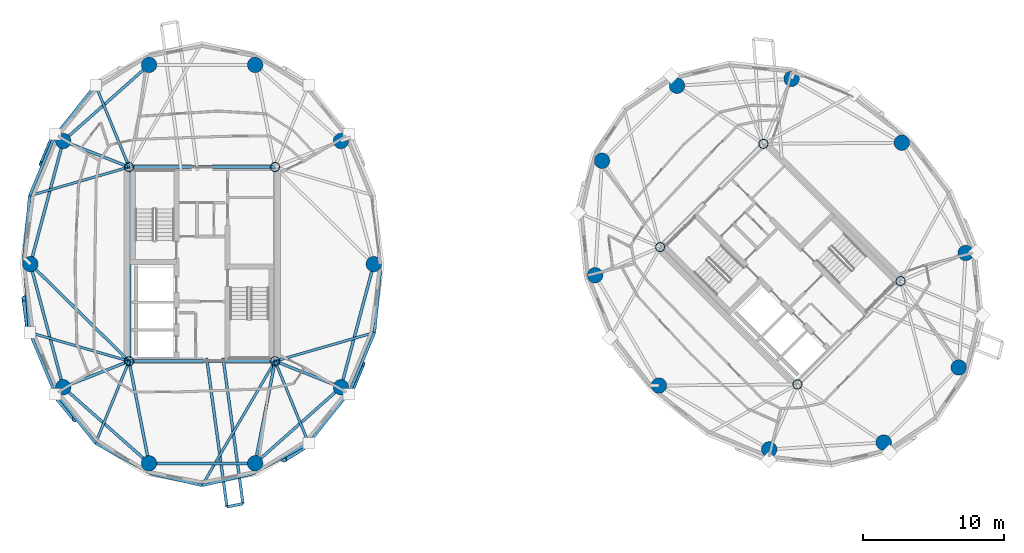
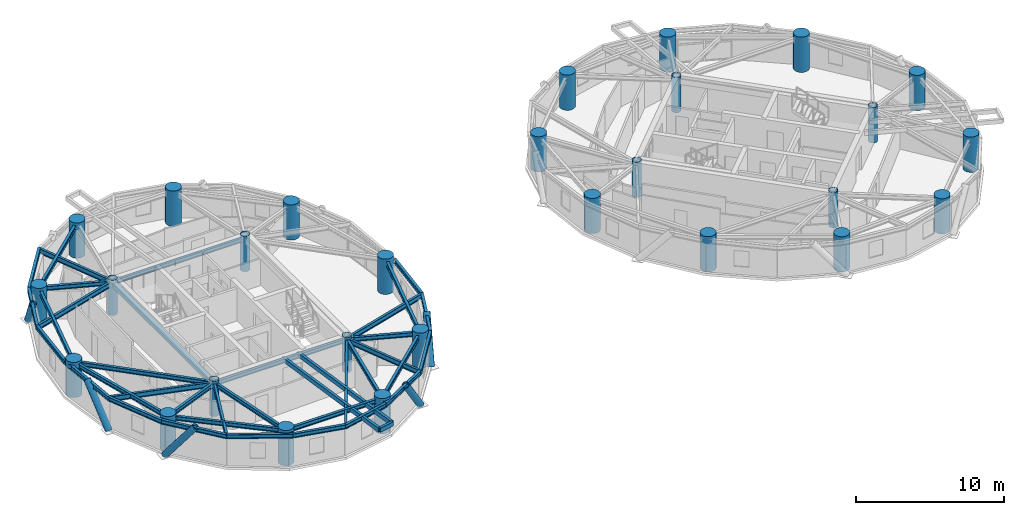
# One storey, part 1 of 16: 39 beams, 28 columns, 5 members.
"""IFC4 building model written with IfcOpenShell, lengths in metres."""

from ifc_helpers import new_model, si_unit, direction, frame, origin, origin_2d, place, context, subcontext, project, spatial, hollow_rectangle, circle, hollow_circle, i_section, extrude, material, material_profile, profile_set, type_object, element, save


model = new_model("IFC4")

# Units and contexts
model_context = context("Model", 3, precision=1e-05, world=origin(), true_north=direction((0.0, 1.0)))
body_context = subcontext(model_context, "Body", "Model", "MODEL_VIEW")
ifc_project = project(units=[si_unit("LENGTHUNIT", "METRE"), si_unit("AREAUNIT", "SQUARE_METRE"), si_unit("VOLUMEUNIT", "CUBIC_METRE"), si_unit("PLANEANGLEUNIT", "RADIAN"), si_unit("MASSUNIT", "GRAM", prefix="KILO")], contexts=[model_context])

# Site, building, storey
site_placement = place(None, origin())
site = spatial("IfcSite", under=ifc_project, at=site_placement, CompositionType="ELEMENT")
building_placement = place(site_placement, origin())
building = spatial("IfcBuilding", under=site, at=building_placement, Name="Cununo Teusaquillo Station Towers", CompositionType="ELEMENT")
storey_placement = place(building_placement, frame((0.0, 0.0, 219.93994140625)))
storey = spatial("IfcBuildingStorey", under=building, at=storey_placement, Name="L70", CompositionType="ELEMENT", Elevation=219.93994140625)

# Columns
ifc_material_1 = material(Name="Steel EN 10025-2 S355J2", Category="steel")
ifc_material_profile_1 = material_profile(ifc_material_1, hollow_circle(Radius=0.330078125, WallThickness=0.02490234375, at=origin_2d()), Name="CHS 660x25")
ifc_profile_set_1 = profile_set([ifc_material_profile_1], Name="Steel EN 10025-2 S355J2")
column_type_1 = type_object("IfcColumnType", Name="COL-CORE-Z3", PredefinedType="COLUMN", material=ifc_profile_set_1)
for number, where, z_axis, x_axis, name in (
    (1, (11.324951171875, 17.6201171875, 0.0), (0.0, 0.0, 1.0), (1.0, 0.0, 0.0), "L70 Tower A Core Column 1"),
    (2, (11.324951171875, 31.3798828125, 0.0), (0.0, 0.0, 1.0), (1.0, 0.0, 0.0), "L70 Tower A Core Column 2"),
    (3, (21.675048828125, 17.6201171875, 0.0), (0.0, 0.0, 1.0), (1.0, 0.0, 0.0), "L70 Tower A Core Column 3"),
    (4, (21.675048828125, 31.3798828125, 0.0), (0.0, 0.0, 1.0), (1.0, 0.0, 0.0), "L70 Tower A Core Column 4"),
    (5, (58.70556640625, 15.975830078125, 0.0), (0.0, 0.0, 1.0), (0.707106781187, 0.707106781187, 0.0), "L70 Tower B Core Column 1"),
    (6, (48.975830078125, 25.70556640625, 0.0), (0.0, 0.0, 1.0), (0.707106781187, 0.707106781187, 0.0), "L70 Tower B Core Column 2"),
    (7, (66.024169921875, 23.29443359375, 0.0), (0.0, 0.0, 1.0), (0.707106781187, 0.707106781187, 0.0), "L70 Tower B Core Column 3"),
    (8, (56.29443359375, 33.024169921875, 0.0), (0.0, 0.0, 1.0), (0.707106781187, 0.707106781187, 0.0), "L70 Tower B Core Column 4"),
):
    element("IfcColumn", number, at=place(storey_placement, frame(where, z_axis=z_axis, x_axis=x_axis)), inside=storey, type_object=column_type_1, Name=name, PredefinedType="COLUMN", context=body_context, shape_type="SweptSolid", body=[
        extrude(hollow_circle(Radius=0.330078125, WallThickness=0.02490234375, at=origin_2d()), origin(), (0.0, 0.0, 1.0), 2.91015625),
    ])
ifc_material_2 = material(Name="Concrete C50/60", Category="concrete")
ifc_material_profile_2 = material_profile(ifc_material_2, circle(Radius=0.550048828125, at=origin_2d()), Name="RC-CIRC-1100")
ifc_profile_set_2 = profile_set([ifc_material_profile_2], Name="Concrete C50/60")
column_type_2 = type_object("IfcColumnType", Name="COL-MEGA-Z4", PredefinedType="USERDEFINED", material=ifc_profile_set_2)
for number, where, z_axis, x_axis, name in (
    (9, (28.672119140625, 24.5, 0.0), (0.0, 0.0, 1.0), (1.0, 0.0, 0.0), "L70 Tower A Perimeter Column V00"),
    (10, (26.347412109375, 33.228515625, 0.0), (0.0, 0.0, 1.0), (1.0, 0.0, 0.0), "L70 Tower A Perimeter Column V02"),
    (11, (20.261474609375, 38.623291015625, 0.0), (0.0, 0.0, 1.0), (1.0, 0.0, 0.0), "L70 Tower A Perimeter Column V04"),
    (12, (12.738525390625, 38.623291015625, 0.0), (0.0, 0.0, 1.0), (1.0, 0.0, 0.0), "L70 Tower A Perimeter Column V06"),
    (13, (6.652587890625, 33.228515625, 0.0), (0.0, 0.0, 1.0), (1.0, 0.0, 0.0), "L70 Tower A Perimeter Column V08"),
    (14, (4.327880859375, 24.5, 0.0), (0.0, 0.0, 1.0), (1.0, 0.0, 0.0), "L70 Tower A Perimeter Column V10"),
    (15, (6.652587890625, 15.771484375, 0.0), (0.0, 0.0, 1.0), (1.0, 0.0, 0.0), "L70 Tower A Perimeter Column V12"),
    (16, (12.738525390625, 10.376708984375, 0.0), (0.0, 0.0, 1.0), (1.0, 0.0, 0.0), "L70 Tower A Perimeter Column V14"),
    (17, (20.261474609375, 10.376708984375, 0.0), (0.0, 0.0, 1.0), (1.0, 0.0, 0.0), "L70 Tower A Perimeter Column V16"),
    (18, (26.347412109375, 15.771484375, 0.0), (0.0, 0.0, 1.0), (1.0, 0.0, 0.0), "L70 Tower A Perimeter Column V18"),
    (19, (66.10693359375, 33.10693359375, 0.0), (0.0, 0.0, 1.0), (1.0, 0.0, 0.0), "L70 Tower B Perimeter Column V00"),
    (20, (58.291015625, 37.63525390625, 0.0), (0.0, 0.0, 1.0), (1.0, 0.0, 0.0), "L70 Tower B Perimeter Column V02"),
    (21, (50.173095703125, 37.146240234375, 0.0), (0.0, 0.0, 1.0), (1.0, 0.0, 0.0), "L70 Tower B Perimeter Column V04"),
    (22, (44.853759765625, 31.826904296875, 0.0), (0.0, 0.0, 1.0), (1.0, 0.0, 0.0), "L70 Tower B Perimeter Column V06"),
    (23, (44.36474609375, 23.708984375, 0.0), (0.0, 0.0, 1.0), (1.0, 0.0, 0.0), "L70 Tower B Perimeter Column V08"),
    (24, (48.89306640625, 15.89306640625, 0.0), (0.0, 0.0, 1.0), (1.0, 0.0, 0.0), "L70 Tower B Perimeter Column V10"),
    (25, (56.708984375, 11.36474609375, 0.0), (0.0, 0.0, 1.0), (1.0, 0.0, 0.0), "L70 Tower B Perimeter Column V12"),
    (26, (64.826904296875, 11.853759765625, 0.0), (0.0, 0.0, 1.0), (1.0, 0.0, 0.0), "L70 Tower B Perimeter Column V14"),
    (27, (70.146240234375, 17.173095703125, 0.0), (0.0, 0.0, 1.0), (1.0, 0.0, 0.0), "L70 Tower B Perimeter Column V16"),
    (28, (70.63525390625, 25.291015625, 0.0), (0.0, 0.0, 1.0), (1.0, 0.0, 0.0), "L70 Tower B Perimeter Column V18"),
):
    element("IfcColumn", number, at=place(storey_placement, frame(where, z_axis=z_axis, x_axis=x_axis)), inside=storey, type_object=column_type_2, Name=name, ObjectType="MEGA COLUMN", PredefinedType="USERDEFINED", context=body_context, shape_type="SweptSolid", body=[
        extrude(circle(Radius=0.550048828125, at=origin_2d()), origin(), (0.0, 0.0, 1.0), 2.91015625),
    ])

# Beams
ifc_material_3 = material(Name="Steel EN 10025-2 S355J2", Category="steel")
ifc_material_profile_3 = material_profile(ifc_material_3, hollow_rectangle(XDim=0.199951171875, YDim=0.35009765625, WallThickness=0.013916015625, at=origin_2d()), Name="RHS 350x200x14")
ifc_profile_set_3 = profile_set([ifc_material_profile_3], Name="Steel EN 10025-2 S355J2")
beam_type_1 = type_object("IfcBeamType", Name="BM-BAL-CANT", PredefinedType="BEAM", material=ifc_profile_set_3)
beam_1_placement = place(storey_placement, frame((16.822998046875, 17.85009765625, 2.525146484375), z_axis=(0.135006880627, -0.990844660975, 0.0), x_axis=(0.990844660975, 0.135006880627, 0.0)))
element("IfcBeam", 29, at=beam_1_placement, inside=storey, type_object=beam_type_1, Name="L70 Tower A Balcony Cantilever Bracket 2A", PredefinedType="BEAM", context=body_context, shape_type="SweptSolid", body=[
    extrude(hollow_rectangle(XDim=0.199951171875, YDim=0.35009765625, WallThickness=0.013916015625, at=origin_2d()), origin(), (0.0, 0.0, 1.0), 10.65673828125),
])
beam_2_placement = place(storey_placement, frame((17.9892578125, 17.85009765625, 2.525146484375), z_axis=(0.135018196505, -0.990843119072, 0.0), x_axis=(0.990843119072, 0.135018196505, 0.0)))
element("IfcBeam", 30, at=beam_2_placement, inside=storey, type_object=beam_type_1, Name="L70 Tower A Balcony Cantilever Bracket 2B", PredefinedType="BEAM", context=body_context, shape_type="SweptSolid", body=[
    extrude(hollow_rectangle(XDim=0.199951171875, YDim=0.35009765625, WallThickness=0.013916015625, at=origin_2d()), origin(), (0.0, 0.0, 1.0), 10.43505859375),
])
ifc_material_4 = material(Name="Steel EN 10025-2 S355J2", Category="steel")
ifc_material_profile_4 = material_profile(ifc_material_4, hollow_rectangle(XDim=0.25, YDim=0.449951171875, WallThickness=0.01611328125, at=origin_2d()), Name="RHS 450x250x16")
ifc_profile_set_4 = profile_set([ifc_material_profile_4], Name="Steel EN 10025-2 S355J2")
beam_type_2 = type_object("IfcBeamType", Name="BM-COUP-1", PredefinedType="USERDEFINED", material=ifc_profile_set_4)
beam_3_placement = place(storey_placement, frame((11.324951171875, 17.6201171875, 2.47509765625), z_axis=(0.0, 1.0, 0.0), x_axis=(-1.0, 0.0, 0.0)))
element("IfcBeam", 31, at=beam_3_placement, inside=storey, type_object=beam_type_2, Name="L70 Tower A Core Beam 1", ObjectType="COUPLING BEAM", PredefinedType="USERDEFINED", context=body_context, shape_type="SweptSolid", body=[
    extrude(hollow_rectangle(XDim=0.25, YDim=0.449951171875, WallThickness=0.01611328125, at=origin_2d()), origin(), (0.0, 0.0, 1.0), 13.759765625),
])
ifc_material_5 = material(Name="Steel ASTM A572 Grade 50", Category="steel")
ifc_material_profile_5 = material_profile(ifc_material_5, i_section(OverallWidth=0.180908203125, OverallDepth=0.4169921875, WebThickness=0.010986328125, FlangeThickness=0.018310546875, FilletRadius=0.012939453125, at=origin_2d()), Name="W16X57")
ifc_profile_set_5 = profile_set([ifc_material_profile_5], Name="Steel ASTM A572 Grade 50")
beam_type_3 = type_object("IfcBeamType", Name="BM-JOIST-1", PredefinedType="JOIST", material=ifc_profile_set_5)
beam_4_placement = place(storey_placement, frame((11.324951171875, 31.3798828125, 2.491455078125), z_axis=(-0.378576847217, 0.925569862707, 0.0), x_axis=(-0.925569862707, -0.378576847217, 0.0)))
element("IfcBeam", 32, at=beam_4_placement, inside=storey, type_object=beam_type_3, Name="L70 Tower A Radial Spandrel Joist V07", PredefinedType="JOIST", context=body_context, shape_type="SweptSolid", body=[
    extrude(i_section(OverallWidth=0.180908203125, OverallDepth=0.4169921875, WebThickness=0.010986328125, FlangeThickness=0.018310546875, FilletRadius=0.012939453125, at=origin_2d()), origin(), (0.0, 0.0, 1.0), 6.28125),
])
for number, where, z_axis, x_axis, name in (
    (33, (11.324951171875, 31.3798828125, 2.491455078125), (-0.960861603375, -0.277028841748, 0.0), (0.277028841748, -0.960861603375, 0.0), "L70 Tower A Radial Spandrel Joist V09"),
    (34, (11.324951171875, 17.6201171875, 2.491455078125), (-0.960861603375, 0.277028841748, 0.0), (-0.277028841748, -0.960861603375, 0.0), "L70 Tower A Radial Spandrel Joist V11"),
):
    element("IfcBeam", number, at=place(storey_placement, frame(where, z_axis=z_axis, x_axis=x_axis)), inside=storey, type_object=beam_type_3, Name=name, PredefinedType="JOIST", context=body_context, shape_type="SweptSolid", body=[
        extrude(i_section(OverallWidth=0.180908203125, OverallDepth=0.4169921875, WebThickness=0.010986328125, FlangeThickness=0.018310546875, FilletRadius=0.012939453125, at=origin_2d()), origin(), (0.0, 0.0, 1.0), 7.333251953125),
    ])
beam_5_placement = place(storey_placement, frame((11.324951171875, 17.6201171875, 2.491455078125), z_axis=(-0.378576847217, -0.925569862707, 0.0), x_axis=(0.925569862707, -0.378576847217, 0.0)))
element("IfcBeam", 35, at=beam_5_placement, inside=storey, type_object=beam_type_3, Name="L70 Tower A Radial Spandrel Joist V13", PredefinedType="JOIST", context=body_context, shape_type="SweptSolid", body=[
    extrude(i_section(OverallWidth=0.180908203125, OverallDepth=0.4169921875, WebThickness=0.010986328125, FlangeThickness=0.018310546875, FilletRadius=0.012939453125, at=origin_2d()), origin(), (0.0, 0.0, 1.0), 6.28125),
])
beam_6_placement = place(storey_placement, frame((21.675048828125, 17.6201171875, 2.491455078125), z_axis=(-0.506486432091, -0.862247930765, 0.0), x_axis=(0.862247930765, -0.506486432091, 0.0)))
element("IfcBeam", 36, at=beam_6_placement, inside=storey, type_object=beam_type_3, Name="L70 Tower A Radial Spandrel Joist V15", PredefinedType="JOIST", context=body_context, shape_type="SweptSolid", body=[
    extrude(i_section(OverallWidth=0.180908203125, OverallDepth=0.4169921875, WebThickness=0.010986328125, FlangeThickness=0.018310546875, FilletRadius=0.012939453125, at=origin_2d()), origin(), (0.0, 0.0, 1.0), 10.217529296875),
])
beam_7_placement = place(storey_placement, frame((21.675048828125, 17.6201171875, 2.491455078125), z_axis=(0.378576847217, -0.925569862707, 0.0), x_axis=(0.925569862707, 0.378576847217, 0.0)))
element("IfcBeam", 37, at=beam_7_placement, inside=storey, type_object=beam_type_3, Name="L70 Tower A Radial Spandrel Joist V17", PredefinedType="JOIST", context=body_context, shape_type="SweptSolid", body=[
    extrude(i_section(OverallWidth=0.180908203125, OverallDepth=0.4169921875, WebThickness=0.010986328125, FlangeThickness=0.018310546875, FilletRadius=0.012939453125, at=origin_2d()), origin(), (0.0, 0.0, 1.0), 6.28125),
])
beam_8_placement = place(storey_placement, frame((21.675048828125, 17.6201171875, 2.491455078125), z_axis=(0.960861603375, 0.277028841748, 0.0), x_axis=(-0.277028841748, 0.960861603375, 0.0)))
element("IfcBeam", 38, at=beam_8_placement, inside=storey, type_object=beam_type_3, Name="L70 Tower A Radial Spandrel Joist V19", PredefinedType="JOIST", context=body_context, shape_type="SweptSolid", body=[
    extrude(i_section(OverallWidth=0.180908203125, OverallDepth=0.4169921875, WebThickness=0.010986328125, FlangeThickness=0.018310546875, FilletRadius=0.012939453125, at=origin_2d()), origin(), (0.0, 0.0, 1.0), 7.333251953125),
])
ifc_material_6 = material(Name="Steel ASTM A572 Grade 50", Category="steel")
ifc_material_profile_6 = material_profile(ifc_material_6, i_section(OverallWidth=0.2041015625, OverallDepth=0.35009765625, WebThickness=0.008544921875, FlangeThickness=0.01513671875, FilletRadius=0.011962890625, at=origin_2d()), Name="W14X48")
ifc_profile_set_6 = profile_set([ifc_material_profile_6], Name="Steel ASTM A572 Grade 50")
beam_type_4 = type_object("IfcBeamType", Name="BM-LINTEL-1", PredefinedType="LINTEL", material=ifc_profile_set_6)
for number, where, z_axis, x_axis, name in (
    (39, (11.324951171875, 17.6201171875, 2.525146484375), (1.0, 0.0, 0.0), (0.0, 1.0, 0.0), "L70 Tower A Core Beam 3"),
    (40, (11.324951171875, 31.3798828125, 2.525146484375), (1.0, 0.0, 0.0), (0.0, 1.0, 0.0), "L70 Tower A Core Beam 4"),
):
    element("IfcBeam", number, at=place(storey_placement, frame(where, z_axis=z_axis, x_axis=x_axis)), inside=storey, type_object=beam_type_4, Name=name, PredefinedType="LINTEL", context=body_context, shape_type="SweptSolid", body=[
        extrude(i_section(OverallWidth=0.2041015625, OverallDepth=0.35009765625, WebThickness=0.008544921875, FlangeThickness=0.01513671875, FilletRadius=0.011962890625, at=origin_2d()), origin(), (0.0, 0.0, 1.0), 10.35009765625),
    ])
ifc_material_7 = material(Name="Steel ASTM A572 Grade 50", Category="steel")
ifc_material_profile_7 = material_profile(ifc_material_7, i_section(OverallWidth=0.2041015625, OverallDepth=0.35009765625, WebThickness=0.008544921875, FlangeThickness=0.01513671875, FilletRadius=0.011962890625, at=origin_2d()), Name="W14X48")
ifc_profile_set_7 = profile_set([ifc_material_profile_7], Name="Steel ASTM A572 Grade 50")
beam_type_5 = type_object("IfcBeamType", Name="BM-RAD-G3", PredefinedType="BEAM", material=ifc_profile_set_7)
beam_9_placement = place(storey_placement, frame((11.324951171875, 31.3798828125, 2.525146484375), z_axis=(-0.929851670487, 0.36793460138, 0.0), x_axis=(-0.36793460138, -0.929851670487, 0.0)))
element("IfcBeam", 41, at=beam_9_placement, inside=storey, type_object=beam_type_5, Name="L70 Tower A Continuous Overhanging Radial Girder 05", PredefinedType="BEAM", context=body_context, shape_type="SweptSolid", body=[
    extrude(i_section(OverallWidth=0.2041015625, OverallDepth=0.35009765625, WebThickness=0.008544921875, FlangeThickness=0.01513671875, FilletRadius=0.011962890625, at=origin_2d()), origin(), (0.0, 0.0, 1.0), 5.71630859375),
])
beam_10_placement = place(storey_placement, frame((11.324951171875, 17.6201171875, 2.525146484375), z_axis=(-0.713052701438, 0.701110437073, 0.0), x_axis=(-0.701110437073, -0.713052701438, 0.0)))
element("IfcBeam", 42, at=beam_10_placement, inside=storey, type_object=beam_type_5, Name="L70 Tower A Radial Girder 06A", PredefinedType="BEAM", context=body_context, shape_type="SweptSolid", body=[
    extrude(i_section(OverallWidth=0.2041015625, OverallDepth=0.35009765625, WebThickness=0.008544921875, FlangeThickness=0.01513671875, FilletRadius=0.011962890625, at=origin_2d()), origin(), (0.0, 0.0, 1.0), 9.812744140625),
])
beam_11_placement = place(storey_placement, frame((11.324951171875, 17.6201171875, 2.525146484375), z_axis=(-0.929851670487, -0.36793460138, 0.0), x_axis=(0.36793460138, -0.929851670487, 0.0)))
element("IfcBeam", 43, at=beam_11_placement, inside=storey, type_object=beam_type_5, Name="L70 Tower A Continuous Overhanging Radial Girder 07", PredefinedType="BEAM", context=body_context, shape_type="SweptSolid", body=[
    extrude(i_section(OverallWidth=0.2041015625, OverallDepth=0.35009765625, WebThickness=0.008544921875, FlangeThickness=0.01513671875, FilletRadius=0.011962890625, at=origin_2d()), origin(), (0.0, 0.0, 1.0), 5.71630859375),
])
for number, where, z_axis, x_axis, name in (
    (44, (11.324951171875, 17.6201171875, 2.525146484375), (0.191548487699, -0.981483151593, 0.0), (0.981483151593, 0.191548487699, 0.0), "L70 Tower A Continuous Overhanging Radial Girder 08"),
    (45, (21.675048828125, 17.6201171875, 2.525146484375), (-0.191548487699, -0.981483151593, 0.0), (0.981483151593, -0.191548487699, 0.0), "L70 Tower A Continuous Overhanging Radial Girder 09"),
):
    element("IfcBeam", number, at=place(storey_placement, frame(where, z_axis=z_axis, x_axis=x_axis)), inside=storey, type_object=beam_type_5, Name=name, PredefinedType="BEAM", context=body_context, shape_type="SweptSolid", body=[
        extrude(i_section(OverallWidth=0.2041015625, OverallDepth=0.35009765625, WebThickness=0.008544921875, FlangeThickness=0.01513671875, FilletRadius=0.011962890625, at=origin_2d()), origin(), (0.0, 0.0, 1.0), 8.1240234375),
    ])
beam_12_placement = place(storey_placement, frame((21.675048828125, 17.6201171875, 2.525146484375), z_axis=(0.929851670487, -0.36793460138, 0.0), x_axis=(0.36793460138, 0.929851670487, 0.0)))
element("IfcBeam", 46, at=beam_12_placement, inside=storey, type_object=beam_type_5, Name="L70 Tower A Continuous Overhanging Radial Girder 10", PredefinedType="BEAM", context=body_context, shape_type="SweptSolid", body=[
    extrude(i_section(OverallWidth=0.2041015625, OverallDepth=0.35009765625, WebThickness=0.008544921875, FlangeThickness=0.01513671875, FilletRadius=0.011962890625, at=origin_2d()), origin(), (0.0, 0.0, 1.0), 5.71630859375),
])
ifc_material_8 = material(Name="Steel ASTM A572 Grade 50", Category="steel")
ifc_material_profile_8 = material_profile(ifc_material_8, i_section(OverallWidth=0.2041015625, OverallDepth=0.35009765625, WebThickness=0.008544921875, FlangeThickness=0.01513671875, FilletRadius=0.011962890625, at=origin_2d()), Name="W14X48")
ifc_profile_set_8 = profile_set([ifc_material_profile_8], Name="Steel ASTM A572 Grade 50")
beam_type_6 = type_object("IfcBeamType", Name="BM-RING-Z4", PredefinedType="SPANDREL", material=ifc_profile_set_8)
beam_13_placement = place(storey_placement, frame((12.738525390625, 38.623291015625, 2.525146484375), z_axis=(-0.74832120039, -0.66333655187, 0.0), x_axis=(0.66333655187, -0.74832120039, 0.0)))
element("IfcBeam", 47, at=beam_13_placement, inside=storey, type_object=beam_type_6, Name="L70 Tower A Structural Column Ring Girder 04", PredefinedType="SPANDREL", context=body_context, shape_type="SweptSolid", body=[
    extrude(i_section(OverallWidth=0.2041015625, OverallDepth=0.35009765625, WebThickness=0.008544921875, FlangeThickness=0.01513671875, FilletRadius=0.011962890625, at=origin_2d()), origin(), (0.0, 0.0, 1.0), 8.1328125),
])
for number, where, z_axis, x_axis, name in (
    (48, (6.652587890625, 33.228515625, 2.525146484375), (-0.257363196347, -0.966314744359, 0.0), (0.966314744359, -0.257363196347, 0.0), "L70 Tower A Structural Column Ring Girder 05"),
    (49, (4.327880859375, 24.5, 2.525146484375), (0.257363196347, -0.966314744359, 0.0), (0.966314744359, 0.257363196347, 0.0), "L70 Tower A Structural Column Ring Girder 06"),
):
    element("IfcBeam", number, at=place(storey_placement, frame(where, z_axis=z_axis, x_axis=x_axis)), inside=storey, type_object=beam_type_6, Name=name, PredefinedType="SPANDREL", context=body_context, shape_type="SweptSolid", body=[
        extrude(i_section(OverallWidth=0.2041015625, OverallDepth=0.35009765625, WebThickness=0.008544921875, FlangeThickness=0.01513671875, FilletRadius=0.011962890625, at=origin_2d()), origin(), (0.0, 0.0, 1.0), 9.03271484375),
    ])
beam_14_placement = place(storey_placement, frame((6.652587890625, 15.771484375, 2.525146484375), z_axis=(0.74832120039, -0.66333655187, 0.0), x_axis=(0.66333655187, 0.74832120039, 0.0)))
element("IfcBeam", 50, at=beam_14_placement, inside=storey, type_object=beam_type_6, Name="L70 Tower A Structural Column Ring Girder 07", PredefinedType="SPANDREL", context=body_context, shape_type="SweptSolid", body=[
    extrude(i_section(OverallWidth=0.2041015625, OverallDepth=0.35009765625, WebThickness=0.008544921875, FlangeThickness=0.01513671875, FilletRadius=0.011962890625, at=origin_2d()), origin(), (0.0, 0.0, 1.0), 8.1328125),
])
beam_15_placement = place(storey_placement, frame((12.738525390625, 10.376708984375, 2.525146484375), z_axis=(1.0, 0.0, 0.0), x_axis=(0.0, 1.0, 0.0)))
element("IfcBeam", 51, at=beam_15_placement, inside=storey, type_object=beam_type_6, Name="L70 Tower A Structural Column Ring Girder 08", PredefinedType="SPANDREL", context=body_context, shape_type="SweptSolid", body=[
    extrude(i_section(OverallWidth=0.2041015625, OverallDepth=0.35009765625, WebThickness=0.008544921875, FlangeThickness=0.01513671875, FilletRadius=0.011962890625, at=origin_2d()), origin(), (0.0, 0.0, 1.0), 7.52294921875),
])
beam_16_placement = place(storey_placement, frame((20.261474609375, 10.376708984375, 2.525146484375), z_axis=(0.74832120039, 0.66333655187, 0.0), x_axis=(-0.66333655187, 0.74832120039, 0.0)))
element("IfcBeam", 52, at=beam_16_placement, inside=storey, type_object=beam_type_6, Name="L70 Tower A Structural Column Ring Girder 09", PredefinedType="SPANDREL", context=body_context, shape_type="SweptSolid", body=[
    extrude(i_section(OverallWidth=0.2041015625, OverallDepth=0.35009765625, WebThickness=0.008544921875, FlangeThickness=0.01513671875, FilletRadius=0.011962890625, at=origin_2d()), origin(), (0.0, 0.0, 1.0), 8.1328125),
])
beam_17_placement = place(storey_placement, frame((26.347412109375, 15.771484375, 2.525146484375), z_axis=(0.257363196347, 0.966314744359, 0.0), x_axis=(-0.966314744359, 0.257363196347, 0.0)))
element("IfcBeam", 53, at=beam_17_placement, inside=storey, type_object=beam_type_6, Name="L70 Tower A Structural Column Ring Girder 10", PredefinedType="SPANDREL", context=body_context, shape_type="SweptSolid", body=[
    extrude(i_section(OverallWidth=0.2041015625, OverallDepth=0.35009765625, WebThickness=0.008544921875, FlangeThickness=0.01513671875, FilletRadius=0.011962890625, at=origin_2d()), origin(), (0.0, 0.0, 1.0), 9.03271484375),
])
beam_18_placement = place(storey_placement, frame((8.947021484375, 37.193603515625, 2.525146484375), z_axis=(-0.620710872531, -0.784039547932, 0.0), x_axis=(0.784039547932, -0.620710872531, 0.0)))
element("IfcBeam", 54, at=beam_18_placement, inside=storey, type_object=beam_type_6, Name="L70 Tower A Spandrel Ring Beam 08", PredefinedType="SPANDREL", context=body_context, shape_type="SweptSolid", body=[
    extrude(i_section(OverallWidth=0.2041015625, OverallDepth=0.35009765625, WebThickness=0.008544921875, FlangeThickness=0.01513671875, FilletRadius=0.011962890625, at=origin_2d()), origin(), (0.0, 0.0, 1.0), 4.732421875),
])
beam_19_placement = place(storey_placement, frame((6.009521484375, 33.483154296875, 2.525146484375), z_axis=(-0.386115454066, -0.922450462698, 0.0), x_axis=(0.922450462698, -0.386115454066, 0.0)))
element("IfcBeam", 55, at=beam_19_placement, inside=storey, type_object=beam_type_6, Name="L70 Tower A Spandrel Ring Beam 09", PredefinedType="SPANDREL", context=body_context, shape_type="SweptSolid", body=[
    extrude(i_section(OverallWidth=0.2041015625, OverallDepth=0.35009765625, WebThickness=0.008544921875, FlangeThickness=0.01513671875, FilletRadius=0.011962890625, at=origin_2d()), origin(), (0.0, 0.0, 1.0), 4.482421875),
])
beam_20_placement = place(storey_placement, frame((4.27880859375, 29.348388671875, 2.525146484375), z_axis=(-0.093902932611, -0.995581357422, 0.0), x_axis=(0.995581357422, -0.093902932611, 0.0)))
element("IfcBeam", 56, at=beam_20_placement, inside=storey, type_object=beam_type_6, Name="L70 Tower A Spandrel Ring Beam 10", PredefinedType="SPANDREL", context=body_context, shape_type="SweptSolid", body=[
    extrude(i_section(OverallWidth=0.2041015625, OverallDepth=0.35009765625, WebThickness=0.008544921875, FlangeThickness=0.01513671875, FilletRadius=0.011962890625, at=origin_2d()), origin(), (0.0, 0.0, 1.0), 4.412109375),
])
beam_21_placement = place(storey_placement, frame((3.864501953125, 24.955810546875, 2.525146484375), z_axis=(0.077871988965, -0.996963366095, 0.0), x_axis=(0.996963366095, 0.077871988965, 0.0)))
element("IfcBeam", 57, at=beam_21_placement, inside=storey, type_object=beam_type_6, Name="L70 Tower A Spandrel Ring Beam 11", PredefinedType="SPANDREL", context=body_context, shape_type="SweptSolid", body=[
    extrude(i_section(OverallWidth=0.2041015625, OverallDepth=0.35009765625, WebThickness=0.008544921875, FlangeThickness=0.01513671875, FilletRadius=0.011962890625, at=origin_2d()), origin(), (0.0, 0.0, 1.0), 5.3203125),
])
beam_22_placement = place(storey_placement, frame((4.27880859375, 19.651611328125, 2.525146484375), z_axis=(0.386115454066, -0.922450462698, 0.0), x_axis=(0.922450462698, 0.386115454066, 0.0)))
element("IfcBeam", 58, at=beam_22_placement, inside=storey, type_object=beam_type_6, Name="L70 Tower A Spandrel Ring Beam 12", PredefinedType="SPANDREL", context=body_context, shape_type="SweptSolid", body=[
    extrude(i_section(OverallWidth=0.2041015625, OverallDepth=0.35009765625, WebThickness=0.008544921875, FlangeThickness=0.01513671875, FilletRadius=0.011962890625, at=origin_2d()), origin(), (0.0, 0.0, 1.0), 4.482421875),
])
beam_23_placement = place(storey_placement, frame((6.009521484375, 15.516845703125, 2.525146484375), z_axis=(0.620710872531, -0.784039547932, 0.0), x_axis=(0.784039547932, 0.620710872531, 0.0)))
element("IfcBeam", 59, at=beam_23_placement, inside=storey, type_object=beam_type_6, Name="L70 Tower A Spandrel Ring Beam 13", PredefinedType="SPANDREL", context=body_context, shape_type="SweptSolid", body=[
    extrude(i_section(OverallWidth=0.2041015625, OverallDepth=0.35009765625, WebThickness=0.008544921875, FlangeThickness=0.01513671875, FilletRadius=0.011962890625, at=origin_2d()), origin(), (0.0, 0.0, 1.0), 4.732421875),
])
beam_24_placement = place(storey_placement, frame((8.947021484375, 11.806396484375, 2.525146484375), z_axis=(0.876576300909, -0.481262910149, 0.0), x_axis=(0.481262910149, 0.876576300909, 0.0)))
element("IfcBeam", 60, at=beam_24_placement, inside=storey, type_object=beam_type_6, Name="L70 Tower A Spandrel Ring Beam 14", PredefinedType="SPANDREL", context=body_context, shape_type="SweptSolid", body=[
    extrude(i_section(OverallWidth=0.2041015625, OverallDepth=0.35009765625, WebThickness=0.008544921875, FlangeThickness=0.01513671875, FilletRadius=0.011962890625, at=origin_2d()), origin(), (0.0, 0.0, 1.0), 4.488037109375),
])
for number, where, z_axis, x_axis, name in (
    (61, (12.881103515625, 9.646484375, 2.525146484375), (0.97431470066, -0.225190728224, 0.0), (0.225190728224, 0.97431470066, 0.0), "L70 Tower A Spandrel Ring Beam 15"),
    (62, (16.5, 8.81005859375, 2.525146484375), (0.97431470066, 0.225190728224, 0.0), (-0.225190728224, 0.97431470066, 0.0), "L70 Tower A Spandrel Ring Beam 16"),
):
    element("IfcBeam", number, at=place(storey_placement, frame(where, z_axis=z_axis, x_axis=x_axis)), inside=storey, type_object=beam_type_6, Name=name, PredefinedType="SPANDREL", context=body_context, shape_type="SweptSolid", body=[
        extrude(i_section(OverallWidth=0.2041015625, OverallDepth=0.35009765625, WebThickness=0.008544921875, FlangeThickness=0.01513671875, FilletRadius=0.011962890625, at=origin_2d()), origin(), (0.0, 0.0, 1.0), 3.71435546875),
    ])
beam_25_placement = place(storey_placement, frame((20.118896484375, 9.646484375, 2.525146484375), z_axis=(0.876576300909, 0.481262910149, 0.0), x_axis=(-0.481262910149, 0.876576300909, 0.0)))
element("IfcBeam", 63, at=beam_25_placement, inside=storey, type_object=beam_type_6, Name="L70 Tower A Spandrel Ring Beam 17", PredefinedType="SPANDREL", context=body_context, shape_type="SweptSolid", body=[
    extrude(i_section(OverallWidth=0.2041015625, OverallDepth=0.35009765625, WebThickness=0.008544921875, FlangeThickness=0.01513671875, FilletRadius=0.011962890625, at=origin_2d()), origin(), (0.0, 0.0, 1.0), 4.488037109375),
])
beam_26_placement = place(storey_placement, frame((24.052978515625, 11.806396484375, 2.525146484375), z_axis=(0.620710872531, 0.784039547932, 0.0), x_axis=(-0.784039547932, 0.620710872531, 0.0)))
element("IfcBeam", 64, at=beam_26_placement, inside=storey, type_object=beam_type_6, Name="L70 Tower A Spandrel Ring Beam 18", PredefinedType="SPANDREL", context=body_context, shape_type="SweptSolid", body=[
    extrude(i_section(OverallWidth=0.2041015625, OverallDepth=0.35009765625, WebThickness=0.008544921875, FlangeThickness=0.01513671875, FilletRadius=0.011962890625, at=origin_2d()), origin(), (0.0, 0.0, 1.0), 4.732421875),
])
beam_27_placement = place(storey_placement, frame((26.990478515625, 15.516845703125, 2.525146484375), z_axis=(0.386115454066, 0.922450462698, 0.0), x_axis=(-0.922450462698, 0.386115454066, 0.0)))
element("IfcBeam", 65, at=beam_27_placement, inside=storey, type_object=beam_type_6, Name="L70 Tower A Spandrel Ring Beam 19", PredefinedType="SPANDREL", context=body_context, shape_type="SweptSolid", body=[
    extrude(i_section(OverallWidth=0.2041015625, OverallDepth=0.35009765625, WebThickness=0.008544921875, FlangeThickness=0.01513671875, FilletRadius=0.011962890625, at=origin_2d()), origin(), (0.0, 0.0, 1.0), 4.482421875),
])
beam_28_placement = place(storey_placement, frame((28.72119140625, 19.651611328125, 2.525146484375), z_axis=(0.093902932611, 0.995581357422, 0.0), x_axis=(-0.995581357422, 0.093902932611, 0.0)))
element("IfcBeam", 66, at=beam_28_placement, inside=storey, type_object=beam_type_6, Name="L70 Tower A Spandrel Ring Beam 20", PredefinedType="SPANDREL", context=body_context, shape_type="SweptSolid", body=[
    extrude(i_section(OverallWidth=0.2041015625, OverallDepth=0.35009765625, WebThickness=0.008544921875, FlangeThickness=0.01513671875, FilletRadius=0.011962890625, at=origin_2d()), origin(), (0.0, 0.0, 1.0), 4.412109375),
])
ifc_material_9 = material(Name="Steel EN 10025-2 S355J2", Category="steel")
ifc_material_profile_9 = material_profile(ifc_material_9, hollow_rectangle(XDim=0.199951171875, YDim=0.35009765625, WallThickness=0.013916015625, at=origin_2d()), Name="RHS 350x200x14")
ifc_profile_set_9 = profile_set([ifc_material_profile_9], Name="Steel EN 10025-2 S355J2")
beam_type_7 = type_object("IfcBeamType", Name="BM-STAIR-TRIM", PredefinedType="BEAM", material=ifc_profile_set_9)
beam_29_placement = place(storey_placement, frame((18.26171875, 7.291015625, 2.525146484375), z_axis=(0.981857200028, 0.189621830897, 0.0), x_axis=(-0.189621830897, 0.981857200028, 0.0)))
element("IfcBeam", 67, at=beam_29_placement, inside=storey, type_object=beam_type_7, Name="L70 Tower A Balcony Edge Trimmer Beam 2", PredefinedType="BEAM", context=body_context, shape_type="SweptSolid", body=[
    extrude(hollow_rectangle(XDim=0.199951171875, YDim=0.35009765625, WallThickness=0.013916015625, at=origin_2d()), origin(), (0.0, 0.0, 1.0), 1.157470703125),
])

# Members
ifc_material_10 = material(Name="Steel EN 10025-2 S355J2", Category="steel")
ifc_material_profile_10 = material_profile(ifc_material_10, hollow_circle(Radius=0.25390625, WallThickness=0.01806640625, at=origin_2d()), Name="CHS 508x18")
ifc_profile_set_10 = profile_set([ifc_material_profile_10], Name="Steel EN 10025-2 S355J2")
member_type = type_object("IfcMemberType", Name="MBR-DIAG-Z4", PredefinedType="BRACE", material=ifc_profile_set_10)
member_1_placement = place(storey_placement, frame((6.10400390625, 33.722412109375, -0.139892578125), z_axis=(-0.243178360097, -0.58276932845, 0.77539937774), x_axis=(0.922875628603, -0.385098135713, 0.0)))
element("IfcMember", 68, at=member_1_placement, inside=storey, type_object=member_type, Name="L70 Tower A Folded-Zigzag Diagrid Tube C08", PredefinedType="BRACE", context=body_context, shape_type="SweptSolid", body=[
    extrude(hollow_circle(Radius=0.25390625, WallThickness=0.01806640625, at=origin_2d()), origin(), (0.0, 0.0, 1.0), 3.752685546875),
])
member_2_placement = place(storey_placement, frame((4.27880859375, 19.651611328125, -0.139892578125), z_axis=(-0.08267958367, 0.637859818385, 0.765701598885), x_axis=(-0.991703685637, -0.128544933368, 0.0)))
element("IfcMember", 69, at=member_2_placement, inside=storey, type_object=member_type, Name="L70 Tower A Folded-Zigzag Diagrid Tube C10", PredefinedType="BRACE", context=body_context, shape_type="SweptSolid", body=[
    extrude(hollow_circle(Radius=0.25390625, WallThickness=0.01806640625, at=origin_2d()), origin(), (0.0, 0.0, 1.0), 3.80029296875),
])
member_3_placement = place(storey_placement, frame((6.10400390625, 15.277587890625, -0.139892578125), z_axis=(0.386849297016, -0.472365450444, 0.791971276389), x_axis=(0.773661438449, 0.633599225581, 0.0)))
element("IfcMember", 70, at=member_3_placement, inside=storey, type_object=member_type, Name="L70 Tower A Folded-Zigzag Diagrid Tube C12", PredefinedType="BRACE", context=body_context, shape_type="SweptSolid", body=[
    extrude(hollow_circle(Radius=0.25390625, WallThickness=0.01806640625, at=origin_2d()), origin(), (0.0, 0.0, 1.0), 3.67431640625),
])
member_4_placement = place(storey_placement, frame((24.052978515625, 11.806396484375, -0.139892578125), z_axis=(-0.498333742466, -0.310032061152, 0.809656471708), x_axis=(0.528249968439, -0.849088906325, 0.0)))
element("IfcMember", 71, at=member_4_placement, inside=storey, type_object=member_type, Name="L70 Tower A Folded-Zigzag Diagrid Tube C16", PredefinedType="BRACE", context=body_context, shape_type="SweptSolid", body=[
    extrude(hollow_circle(Radius=0.25390625, WallThickness=0.01806640625, at=origin_2d()), origin(), (0.0, 0.0, 1.0), 3.593994140625),
])
member_5_placement = place(storey_placement, frame((26.89599609375, 15.277587890625, -0.139892578125), z_axis=(0.243178360097, 0.58276932845, 0.77539937774), x_axis=(-0.922875628603, 0.385098135713, 0.0)))
element("IfcMember", 72, at=member_5_placement, inside=storey, type_object=member_type, Name="L70 Tower A Folded-Zigzag Diagrid Tube C18", PredefinedType="BRACE", context=body_context, shape_type="SweptSolid", body=[
    extrude(hollow_circle(Radius=0.25390625, WallThickness=0.01806640625, at=origin_2d()), origin(), (0.0, 0.0, 1.0), 3.752685546875),
])

save(model, "model.ifc")
